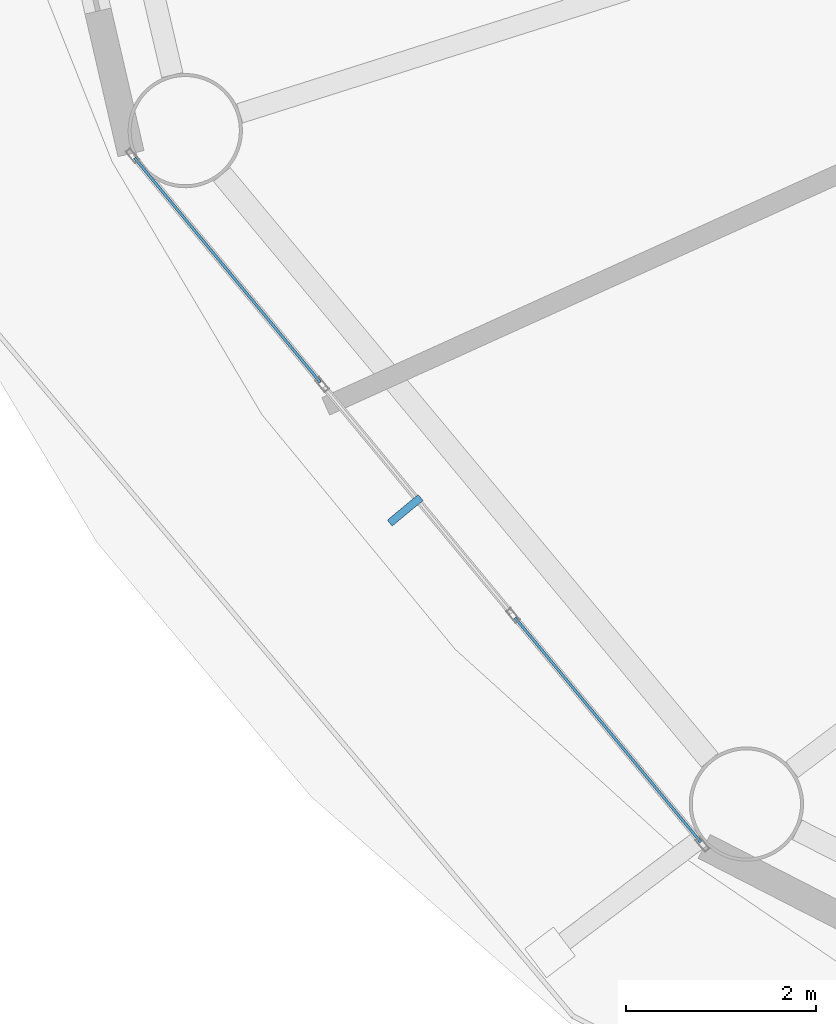
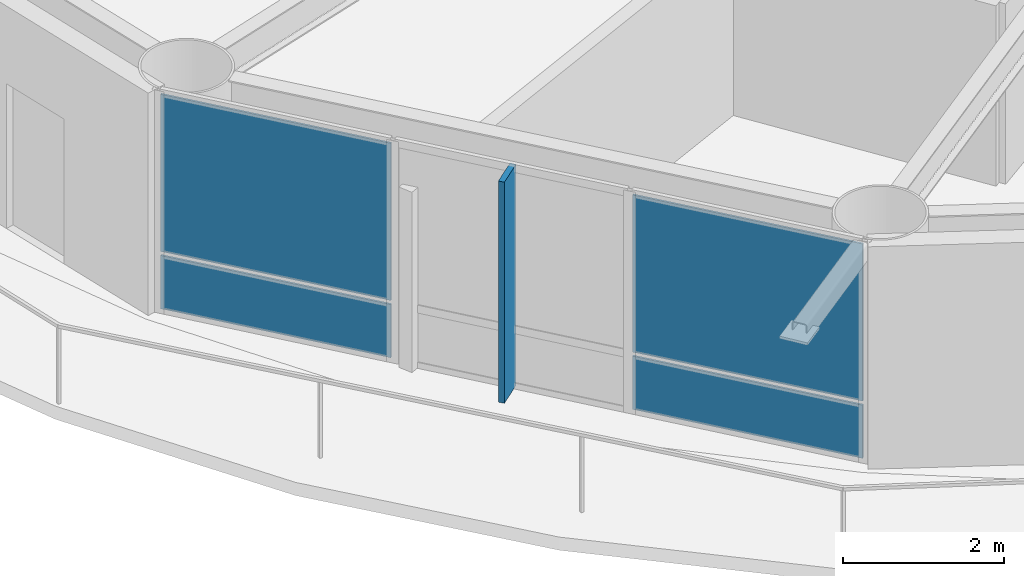
# One storey, part 14 of 24: 5 plates, 1 element without a shape of its own.
"""IFC4 building model written with IfcOpenShell, lengths in metres."""

from ifc_helpers import new_model, si_unit, direction, frame, origin, origin_2d, place, context, subcontext, project, spatial, rectangle, extrude, material, layer, layer_set, type_object, element, aggregate, save


model = new_model("IFC4")

# Units and contexts
model_context = context("Model", 3, precision=1e-05, world=origin(), true_north=direction((0.0, 1.0)))
body_context = subcontext(model_context, "Body", "Model", "MODEL_VIEW")
ifc_project = project(units=[si_unit("LENGTHUNIT", "METRE"), si_unit("AREAUNIT", "SQUARE_METRE"), si_unit("VOLUMEUNIT", "CUBIC_METRE"), si_unit("PLANEANGLEUNIT", "RADIAN"), si_unit("MASSUNIT", "GRAM", prefix="KILO")], contexts=[model_context])

# Site, building, storey
site_placement = place(None, origin())
site = spatial("IfcSite", under=ifc_project, at=site_placement, CompositionType="ELEMENT")
building_placement = place(site_placement, origin())
building = spatial("IfcBuilding", under=site, at=building_placement, Name="Sarneth Arch Tower", CompositionType="ELEMENT")
storey_placement = place(building_placement, frame((0.0, 0.0, 116.39990234375)))
storey = spatial("IfcBuildingStorey", under=building, at=storey_placement, Name="L29", CompositionType="ELEMENT", Elevation=116.39990234375)

# Curtain wall, plates
ifc_material_1 = material(Name="Anodised aluminium Type AA25 and solar-control low-e laminated IGU", Category="aluminium")
ifc_layer_1 = layer(ifc_material_1, 0.159912109375)
ifc_layer_set_1 = layer_set([ifc_layer_1], Name="Anodised aluminium Type AA25 and solar-control low-e laminated IGU")
curtain_wall_type = type_object("IfcCurtainWallType", Name="CW-HOTEL-MID", PredefinedType="NOTDEFINED", material=ifc_layer_set_1)
curtain_wall_placement = place(storey_placement, origin())
curtain_wall = element("IfcCurtainWall", 1, at=curtain_wall_placement, inside=storey, type_object=curtain_wall_type, Name="L29 Unitised curtain wall facet 10", PredefinedType="NOTDEFINED")
ifc_material_2 = material(Name="Solar-control low-e laminated IGU", Category="glass")
ifc_layer_2 = layer(ifc_material_2, 0.028076171875)
ifc_layer_set_2 = layer_set([ifc_layer_2], Name="Solar-control low-e laminated IGU")
plate_type_1 = type_object("IfcPlateType", Name="CW-PANEL", PredefinedType="CURTAIN_PANEL", material=ifc_layer_set_2)
plate_1_placement = place(storey_placement, frame((22.15185546875, 32.192138671875, 0.06005859375), z_axis=(0.0, 0.0, 1.0), x_axis=(0.637515188684, -0.770437787363, 0.0)))
plate_1 = element("IfcPlate", 2, at=plate_1_placement, type_object=plate_type_1, Name="Curtain wall glazed vision pane CW-L29-F10/P00-00", PredefinedType="CURTAIN_PANEL", context=body_context, shape_type="SweptSolid", body=[
    extrude(rectangle(XDim=3.058349609375, YDim=0.028076171875, at=origin_2d()), origin(), (0.0, 0.0, 1.0), 0.81005859375),
])
plate_2_placement = place(storey_placement, frame((22.15185546875, 32.192138671875, 0.93017578125), z_axis=(0.0, 0.0, 1.0), x_axis=(0.637515188684, -0.770437787363, 0.0)))
plate_2 = element("IfcPlate", 3, at=plate_2_placement, type_object=plate_type_1, Name="Curtain wall glazed vision pane CW-L29-F10/P00-01", PredefinedType="CURTAIN_PANEL", context=body_context, shape_type="SweptSolid", body=[
    extrude(rectangle(XDim=3.058349609375, YDim=0.028076171875, at=origin_2d()), origin(), (0.0, 0.0, 1.0), 2.389892578125),
])
plate_3_placement = place(storey_placement, frame((26.14697265625, 27.364013671875, 0.06005859375), z_axis=(0.0, 0.0, 1.0), x_axis=(0.637515188684, -0.770437787363, 0.0)))
plate_3 = element("IfcPlate", 4, at=plate_3_placement, type_object=plate_type_1, Name="Curtain wall glazed vision pane CW-L29-F10/P02-00", PredefinedType="CURTAIN_PANEL", context=body_context, shape_type="SweptSolid", body=[
    extrude(rectangle(XDim=3.058349609375, YDim=0.028076171875, at=origin_2d()), origin(), (0.0, 0.0, 1.0), 0.81005859375),
])
plate_4_placement = place(storey_placement, frame((26.14697265625, 27.364013671875, 0.93017578125), z_axis=(0.0, 0.0, 1.0), x_axis=(0.637515188684, -0.770437787363, 0.0)))
plate_4 = element("IfcPlate", 5, at=plate_4_placement, type_object=plate_type_1, Name="Curtain wall glazed vision pane CW-L29-F10/P02-01", PredefinedType="CURTAIN_PANEL", context=body_context, shape_type="SweptSolid", body=[
    extrude(rectangle(XDim=3.058349609375, YDim=0.028076171875, at=origin_2d()), origin(), (0.0, 0.0, 1.0), 2.389892578125),
])
aggregate(curtain_wall, [plate_1, plate_2, plate_3, plate_4])

# Plate
ifc_material_3 = material(Name="Extruded glazed terracotta baguette fin on Aluminium 6063-T6 carrier", Category="masonry")
ifc_layer_3 = layer(ifc_material_3, 0.080078125)
ifc_layer_set_3 = layer_set([ifc_layer_3], Name="Extruded glazed terracotta baguette fin on Aluminium 6063-T6 carrier")
plate_type_2 = type_object("IfcPlateType", Name="SHADE-TERRA-FIN", PredefinedType="SHEET", material=ifc_layer_set_3)
plate_5_placement = place(storey_placement, frame((24.018310546875, 29.669677734375, 0.01025390625), z_axis=(0.0, 0.0, 1.0), x_axis=(-0.770401979567, -0.63755845997, 0.0)))
element("IfcPlate", 6, at=plate_5_placement, inside=storey, type_object=plate_type_2, Name="L29 Terracotta vertical shading fin 10", PredefinedType="SHEET", context=body_context, shape_type="SweptSolid", body=[
    extrude(rectangle(XDim=0.419921875, YDim=0.080078125, at=origin_2d()), origin(), (0.0, 0.0, 1.0), 3.360107421875),
])

save(model, "model.ifc")
